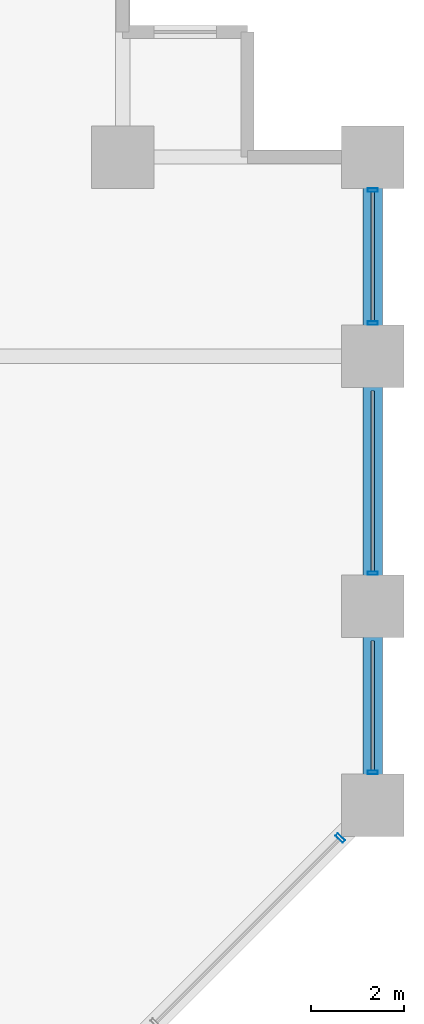
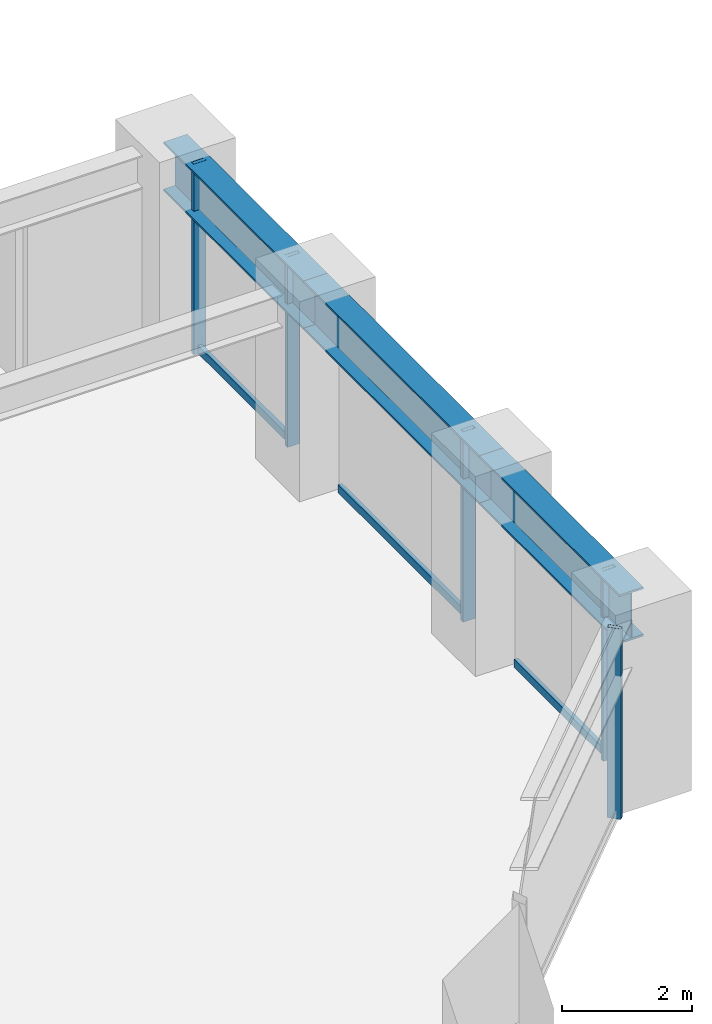
# One storey, part 17 of 24: 8 members, 3 beams, 2 elements without a shape of their own.
"""IFC4 building model written with IfcOpenShell, lengths in metres."""

from ifc_helpers import new_model, si_unit, direction, frame, origin, origin_2d, place, context, subcontext, project, spatial, hollow_rectangle, i_section, extrude, material, layer, layer_set, material_profile, profile_set, type_object, element, aggregate, save


model = new_model("IFC4")

# Units and contexts
model_context = context("Model", 3, precision=1e-05, world=origin(), true_north=direction((0.0, 1.0)))
body_context = subcontext(model_context, "Body", "Model", "MODEL_VIEW")
ifc_project = project(units=[si_unit("LENGTHUNIT", "METRE"), si_unit("AREAUNIT", "SQUARE_METRE"), si_unit("VOLUMEUNIT", "CUBIC_METRE"), si_unit("PLANEANGLEUNIT", "RADIAN"), si_unit("MASSUNIT", "GRAM", prefix="KILO")], contexts=[model_context])

# Site, building, storey
site_placement = place(None, origin())
site = spatial("IfcSite", under=ifc_project, at=site_placement, CompositionType="ELEMENT")
building_placement = place(site_placement, origin())
building = spatial("IfcBuilding", under=site, at=building_placement, Name="Surkhivell Harbour Commons", CompositionType="ELEMENT")
storey_placement = place(building_placement, frame((0.0, 0.0, 26.25)))
storey = spatial("IfcBuildingStorey", under=building, at=storey_placement, Name="L06", CompositionType="ELEMENT", Elevation=26.25)

# Beams
ifc_material_1 = material(Name="Steel S460", Category="steel")
ifc_material_profile_1 = material_profile(ifc_material_1, i_section(OverallWidth=0.419921875, OverallDepth=0.9208984375, WebThickness=0.021484375, FlangeThickness=0.03662109375, at=origin_2d()), Name="UB914x419x388")
ifc_profile_set_1 = profile_set([ifc_material_profile_1], Name="Steel S460")
beam_type = type_object("IfcBeamType", Name="BM-SPN-914A", PredefinedType="SPANDREL", material=ifc_profile_set_1)
beam_1_placement = place(storey_placement, frame((32.39990234375, 6.5, 3.109619140625), z_axis=(0.0, 1.0, 0.0), x_axis=(-1.0, 0.0, 0.0)))
element("IfcBeam", 1, at=beam_1_placement, inside=storey, type_object=beam_type, Name="L06 Tube Spandrel (32.4,6.5)", PredefinedType="SPANDREL", context=body_context, shape_type="SweptSolid", body=[
    extrude(i_section(OverallWidth=0.419921875, OverallDepth=0.9208984375, WebThickness=0.021484375, FlangeThickness=0.03662109375, at=origin_2d()), origin(), (0.0, 0.0, 1.0), 4.300048828125),
])
beam_2_placement = place(storey_placement, frame((32.39990234375, 10.800048828125, 3.109619140625), z_axis=(0.0, 1.0, 0.0), x_axis=(-1.0, 0.0, 0.0)))
element("IfcBeam", 2, at=beam_2_placement, inside=storey, type_object=beam_type, Name="L06 Tube Spandrel (32.4,10.8)", PredefinedType="SPANDREL", context=body_context, shape_type="SweptSolid", body=[
    extrude(i_section(OverallWidth=0.419921875, OverallDepth=0.9208984375, WebThickness=0.021484375, FlangeThickness=0.03662109375, at=origin_2d()), origin(), (0.0, 0.0, 1.0), 5.39990234375),
])
beam_3_placement = place(storey_placement, frame((32.39990234375, 16.199951171875, 3.109619140625), z_axis=(0.0, 1.0, 0.0), x_axis=(-1.0, 0.0, 0.0)))
element("IfcBeam", 3, at=beam_3_placement, inside=storey, type_object=beam_type, Name="L06 Tube Spandrel (32.4,16.2)", PredefinedType="SPANDREL", context=body_context, shape_type="SweptSolid", body=[
    extrude(i_section(OverallWidth=0.419921875, OverallDepth=0.9208984375, WebThickness=0.021484375, FlangeThickness=0.03662109375, at=origin_2d()), origin(), (0.0, 0.0, 1.0), 4.300048828125),
])

# Curtain wall, member
ifc_material_2 = material(Name="Anodised pale-metal aluminium and insulated glazing", Category="aluminium")
ifc_layer = layer(ifc_material_2, 0.219970703125)
ifc_layer_set = layer_set([ifc_layer], Name="Anodised pale-metal aluminium and insulated glazing")
curtain_wall_type = type_object("IfcCurtainWallType", Name="CW-SYS-Z1", PredefinedType="NOTDEFINED", material=ifc_layer_set)
curtain_wall_1_placement = place(storey_placement, origin())
curtain_wall_1 = element("IfcCurtainWall", 4, at=curtain_wall_1_placement, inside=storey, type_object=curtain_wall_type, Name="L06 Curtain Wall CW-L06-E01", PredefinedType="NOTDEFINED")
ifc_material_3 = material(Name="Anodised pale-metal aluminium alloy 6063-T6", Category="aluminium")
ifc_material_profile_2 = material_profile(ifc_material_3, hollow_rectangle(XDim=0.074951171875, YDim=0.219970703125, WallThickness=0.00390625, at=origin_2d()), Name="ALU-MULL-75x220")
ifc_profile_set_2 = profile_set([ifc_material_profile_2], Name="Anodised pale-metal aluminium alloy 6063-T6")
member_type_1 = type_object("IfcMemberType", Name="CWM-220", PredefinedType="MULLION", material=ifc_profile_set_2)
member_1_placement = place(storey_placement, frame((31.69677734375, 5.796630859375, 0.0), z_axis=(0.0, 0.0, 1.0), x_axis=(0.707106781187, 0.707106781187, 0.0)))
member_1 = element("IfcMember", 5, at=member_1_placement, type_object=member_type_1, Name="CW-Z1 mullion 7", PredefinedType="MULLION", context=body_context, shape_type="SweptSolid", body=[
    extrude(hollow_rectangle(XDim=0.074951171875, YDim=0.219970703125, WallThickness=0.00390625, at=origin_2d()), origin(), (0.0, 0.0, 1.0), 3.570068359375),
])
aggregate(curtain_wall_1, [member_1])

# Curtain wall, members
curtain_wall_2_placement = place(storey_placement, origin())
curtain_wall_2 = element("IfcCurtainWall", 6, at=curtain_wall_2_placement, inside=storey, type_object=curtain_wall_type, Name="L06 Curtain Wall CW-L06-E02", PredefinedType="NOTDEFINED")
member_2_placement = place(storey_placement, frame((32.39990234375, 7.214599609375, 0.0), z_axis=(0.0, 0.0, 1.0), x_axis=(0.0, 1.0, 0.0)))
member_2 = element("IfcMember", 7, at=member_2_placement, type_object=member_type_1, Name="CW-Z1 mullion 1", PredefinedType="MULLION", context=body_context, shape_type="SweptSolid", body=[
    extrude(hollow_rectangle(XDim=0.074951171875, YDim=0.219970703125, WallThickness=0.00390625, at=origin_2d()), origin(), (0.0, 0.0, 1.0), 3.570068359375),
])
member_3_placement = place(storey_placement, frame((32.39990234375, 11.514404296875, 0.0), z_axis=(0.0, 0.0, 1.0), x_axis=(0.0, 1.0, 0.0)))
member_3 = element("IfcMember", 8, at=member_3_placement, type_object=member_type_1, Name="CW-Z1 mullion 2", PredefinedType="MULLION", context=body_context, shape_type="SweptSolid", body=[
    extrude(hollow_rectangle(XDim=0.074951171875, YDim=0.219970703125, WallThickness=0.00390625, at=origin_2d()), origin(), (0.0, 0.0, 1.0), 3.570068359375),
])
member_4_placement = place(storey_placement, frame((32.39990234375, 16.91455078125, 0.0), z_axis=(0.0, 0.0, 1.0), x_axis=(0.0, 1.0, 0.0)))
member_4 = element("IfcMember", 9, at=member_4_placement, type_object=member_type_1, Name="CW-Z1 mullion 3", PredefinedType="MULLION", context=body_context, shape_type="SweptSolid", body=[
    extrude(hollow_rectangle(XDim=0.074951171875, YDim=0.219970703125, WallThickness=0.00390625, at=origin_2d()), origin(), (0.0, 0.0, 1.0), 3.570068359375),
])
member_5_placement = place(storey_placement, frame((32.39990234375, 19.785400390625, 0.0), z_axis=(0.0, 0.0, 1.0), x_axis=(0.0, 1.0, 0.0)))
member_5 = element("IfcMember", 10, at=member_5_placement, type_object=member_type_1, Name="CW-Z1 mullion 4", PredefinedType="MULLION", context=body_context, shape_type="SweptSolid", body=[
    extrude(hollow_rectangle(XDim=0.074951171875, YDim=0.219970703125, WallThickness=0.00390625, at=origin_2d()), origin(), (0.0, 0.0, 1.0), 3.570068359375),
])
ifc_material_profile_3 = material_profile(ifc_material_3, hollow_rectangle(XDim=0.074951171875, YDim=0.14990234375, WallThickness=0.00341796875, at=origin_2d()), Name="ALU-TRAN-75x150")
ifc_profile_set_3 = profile_set([ifc_material_profile_3], Name="Anodised pale-metal aluminium alloy 6063-T6")
member_type_2 = type_object("IfcMemberType", Name="CWT-150", PredefinedType="USERDEFINED", material=ifc_profile_set_3)
member_6_placement = place(storey_placement, frame((32.39990234375, 7.251953125, 0.074951171875), z_axis=(0.0, 1.0, 0.0), x_axis=(-1.0, 0.0, 0.0)))
member_6 = element("IfcMember", 11, at=member_6_placement, type_object=member_type_2, Name="CW-Z1 transom 1.1", ObjectType="TRANSOM", PredefinedType="USERDEFINED", context=body_context, shape_type="SweptSolid", body=[
    extrude(hollow_rectangle(XDim=0.074951171875, YDim=0.14990234375, WallThickness=0.00341796875, at=origin_2d()), origin(), (0.0, 0.0, 1.0), 2.796142578125),
])
member_7_placement = place(storey_placement, frame((32.39990234375, 11.552001953125, 0.074951171875), z_axis=(0.0, 1.0, 0.0), x_axis=(-1.0, 0.0, 0.0)))
member_7 = element("IfcMember", 12, at=member_7_placement, type_object=member_type_2, Name="CW-Z1 transom 2.1", ObjectType="TRANSOM", PredefinedType="USERDEFINED", context=body_context, shape_type="SweptSolid", body=[
    extrude(hollow_rectangle(XDim=0.074951171875, YDim=0.14990234375, WallThickness=0.00341796875, at=origin_2d()), origin(), (0.0, 0.0, 1.0), 3.89599609375),
])
member_8_placement = place(storey_placement, frame((32.39990234375, 16.951904296875, 0.074951171875), z_axis=(0.0, 1.0, 0.0), x_axis=(-1.0, 0.0, 0.0)))
member_8 = element("IfcMember", 13, at=member_8_placement, type_object=member_type_2, Name="CW-Z1 transom 3.1", ObjectType="TRANSOM", PredefinedType="USERDEFINED", context=body_context, shape_type="SweptSolid", body=[
    extrude(hollow_rectangle(XDim=0.074951171875, YDim=0.14990234375, WallThickness=0.00341796875, at=origin_2d()), origin(), (0.0, 0.0, 1.0), 2.796142578125),
])
aggregate(curtain_wall_2, [member_2, member_6, member_3, member_7, member_4, member_5, member_8])

save(model, "model.ifc")
